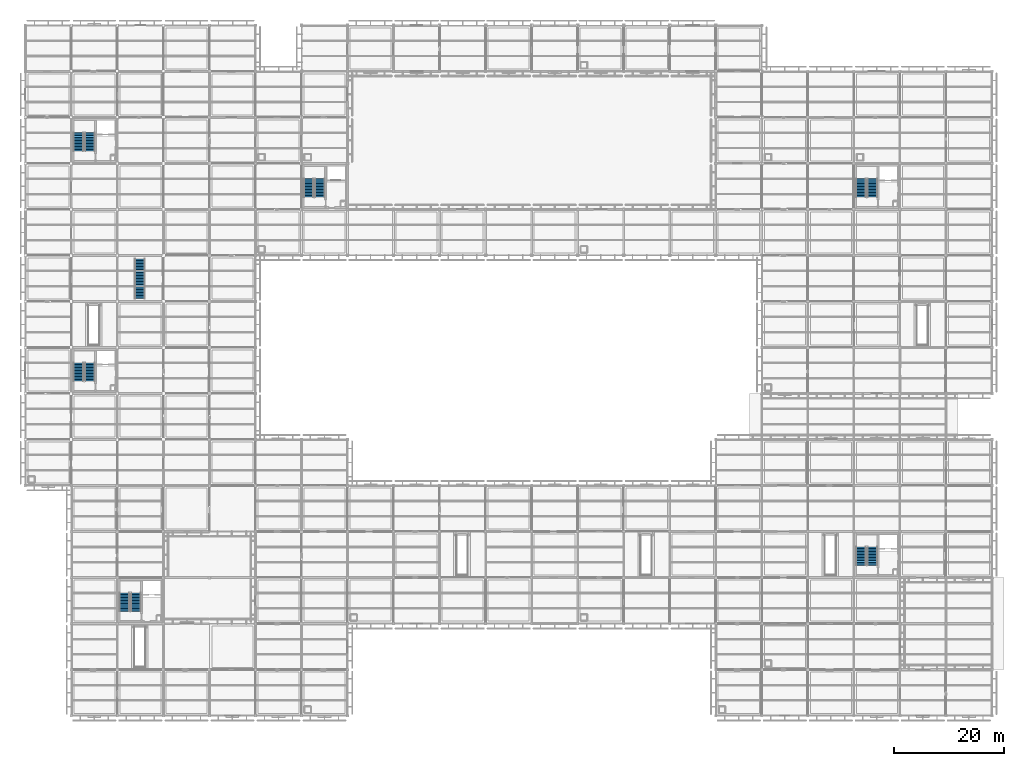
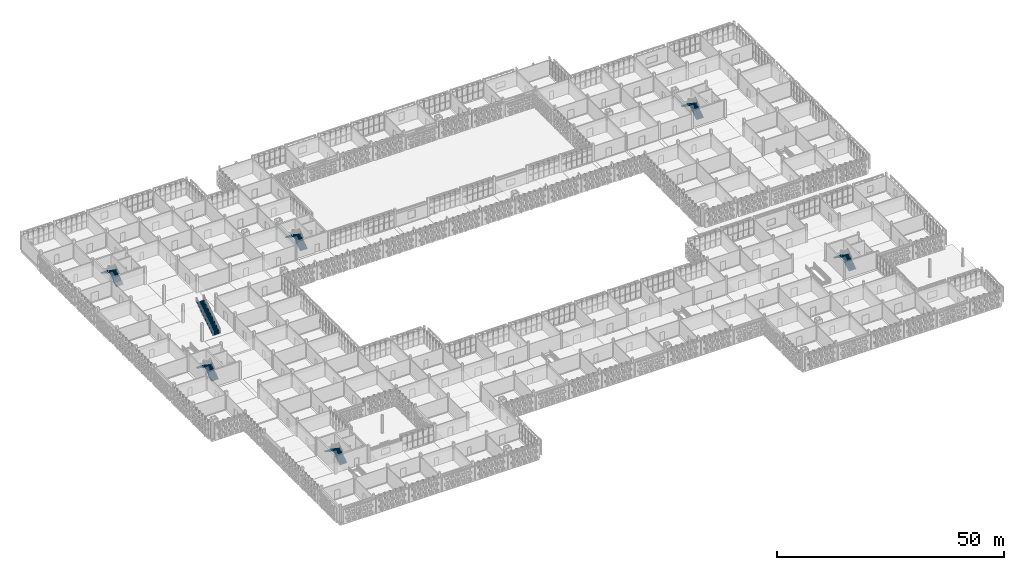
# One storey, part 129 of 203: 13 stair flights, 7 elements without a shape of their own.
"""IFC4 building model written with IfcOpenShell, lengths in metres."""

from ifc_helpers import new_model, si_unit, direction, frame, origin, place, context, subcontext, project, spatial, polyline, outline, extrude, material, type_object, element, aggregate, save


model = new_model("IFC4")

# Units and contexts
model_context = context("Model", 3, precision=1e-05, world=origin(), true_north=direction((0.0, 1.0)))
body_context = subcontext(model_context, "Body", "Model", "MODEL_VIEW")
ifc_project = project(units=[si_unit("LENGTHUNIT", "METRE"), si_unit("AREAUNIT", "SQUARE_METRE"), si_unit("VOLUMEUNIT", "CUBIC_METRE"), si_unit("PLANEANGLEUNIT", "RADIAN"), si_unit("MASSUNIT", "GRAM", prefix="KILO")], contexts=[model_context])

# Site, building, storey
site_placement = place(None, origin())
site = spatial("IfcSite", under=ifc_project, at=site_placement, CompositionType="ELEMENT")
building_placement = place(site_placement, origin())
building = spatial("IfcBuilding", under=site, at=building_placement, Name="Varnapada Polytechnic", CompositionType="ELEMENT")
storey_placement = place(building_placement, frame((0.0, 0.0, 4.800048828125)))
storey = spatial("IfcBuildingStorey", under=building, at=storey_placement, Name="L01", CompositionType="ELEMENT", Elevation=4.800048828125)

# Stair, stair flight
ifc_material = material(Name="Concrete C40/50", Category="concrete")
stair_type_1 = type_object("IfcStairType", Name="Commons Feature Stair ST-F", PredefinedType="STRAIGHT_RUN_STAIR", material=ifc_material)
stair_1_placement = place(storey_placement, origin())
stair_1 = element("IfcStair", 1, at=stair_1_placement, inside=storey, type_object=stair_type_1, Name="L01 studio exit stair ST-F7", PredefinedType="STRAIGHT_RUN_STAIR")
stair_flight_type_1 = type_object("IfcStairFlightType", Name="Commons Stair Flight SFL-03", PredefinedType="STRAIGHT", material=ifc_material)
stair_flight_1_placement = place(storey_placement, frame((20.89990234375, 76.14990234375, 0.0), z_axis=(0.0, 0.0, 1.0), x_axis=(0.0, 1.0, 0.0)))
stair_flight_1 = element("IfcStairFlight", 2, at=stair_flight_1_placement, type_object=stair_flight_type_1, Name="ST-F7 flight 1", NumberOfRisers=27, NumberOfTreads=26, PredefinedType="STRAIGHT", RiserHeight=0.177777778, TreadLength=0.278846154, context=body_context, shape_type="SweptSolid", body=[
    extrude(outline(polyline([(0.0, 0.0), (0.0, 0.177734375), (0.27880859375, 0.177734375), (0.27880859375, 0.35546875), (0.5576171875, 0.35546875), (0.5576171875, 0.533447265625), (0.83642578125, 0.533447265625), (0.83642578125, 0.711181640625), (1.115478515625, 0.711181640625), (1.115478515625, 0.888916015625), (1.394287109375, 0.888916015625), (1.394287109375, 1.066650390625), (1.673095703125, 1.066650390625), (1.673095703125, 1.244384765625), (1.951904296875, 1.244384765625), (1.951904296875, 1.422119140625), (2.230712890625, 1.422119140625), (2.230712890625, 1.60009765625), (2.509521484375, 1.60009765625), (2.509521484375, 1.77783203125), (2.78857421875, 1.77783203125), (2.78857421875, 1.95556640625), (3.0673828125, 1.95556640625), (3.0673828125, 2.13330078125), (3.34619140625, 2.13330078125), (3.34619140625, 2.31103515625), (3.625, 2.31103515625), (3.625, 2.48876953125), (3.90380859375, 2.48876953125), (3.90380859375, 2.666748046875), (4.1826171875, 2.666748046875), (4.1826171875, 2.844482421875), (4.46142578125, 2.844482421875), (4.46142578125, 3.022216796875), (4.740478515625, 3.022216796875), (4.740478515625, 3.199951171875), (5.019287109375, 3.199951171875), (5.019287109375, 3.377685546875), (5.298095703125, 3.377685546875), (5.298095703125, 3.5556640625), (5.576904296875, 3.5556640625), (5.576904296875, 3.7333984375), (5.855712890625, 3.7333984375), (5.855712890625, 3.9111328125), (6.134521484375, 3.9111328125), (6.134521484375, 4.0888671875), (6.41357421875, 4.0888671875), (6.41357421875, 4.2666015625), (6.6923828125, 4.2666015625), (6.6923828125, 4.4443359375), (6.97119140625, 4.4443359375), (6.97119140625, 4.622314453125), (7.25, 4.622314453125), (7.25, 4.800048828125), (7.25, 4.408935546875), (0.334716796875, 0.0), (0.0, 0.0)])), frame((0.0, 0.949951171875, 0.0), z_axis=(0.0, -1.0, 0.0), x_axis=(1.0, 0.0, 0.0)), (0.0, 0.0, 1.0), 1.89990234375),
])
aggregate(stair_1, [stair_flight_1])

# Stair, stair flights
stair_type_2 = type_object("IfcStairType", Name="Core Exit Stair ST-A", PredefinedType="HALF_TURN_STAIR", material=ifc_material)
stair_2_placement = place(storey_placement, origin())
stair_2 = element("IfcStair", 3, at=stair_2_placement, inside=storey, type_object=stair_type_2, Name="L01 Core C1 Exit Stair", PredefinedType="HALF_TURN_STAIR")
stair_flight_type_2 = type_object("IfcStairFlightType", Name="Stair Flight SFL-01", PredefinedType="STRAIGHT", material=ifc_material)
stair_flight_2_placement = place(storey_placement, frame((11.77490234375, 103.050048828125, 0.0), z_axis=(0.0, 0.0, 1.0), x_axis=(0.0, 1.0, 0.0)))
stair_flight_2 = element("IfcStairFlight", 4, at=stair_flight_2_placement, type_object=stair_flight_type_2, Name="ST-1 flight 1", NumberOfRisers=13, NumberOfTreads=12, PredefinedType="STRAIGHT", RiserHeight=0.184615385, TreadLength=0.28, context=body_context, shape_type="SweptSolid", body=[
    extrude(outline(polyline([(0.0, 0.0), (0.0, 0.1845703125), (0.280029296875, 0.1845703125), (0.280029296875, 0.369140625), (0.56005859375, 0.369140625), (0.56005859375, 0.553955078125), (0.840087890625, 0.553955078125), (0.840087890625, 0.738525390625), (1.1201171875, 0.738525390625), (1.1201171875, 0.923095703125), (1.39990234375, 0.923095703125), (1.39990234375, 1.107666015625), (1.679931640625, 1.107666015625), (1.679931640625, 1.292236328125), (1.9599609375, 1.292236328125), (1.9599609375, 1.476806640625), (2.239990234375, 1.476806640625), (2.239990234375, 1.66162109375), (2.52001953125, 1.66162109375), (2.52001953125, 1.84619140625), (2.800048828125, 1.84619140625), (2.800048828125, 2.03076171875), (3.080078125, 2.03076171875), (3.080078125, 2.21533203125), (3.360107421875, 2.21533203125), (3.360107421875, 2.39990234375), (3.360107421875, 1.999755859375), (0.326904296875, 0.0), (0.0, 0.0)])), frame((0.0, 0.925048828125, 0.0), z_axis=(0.0, -1.0, 0.0), x_axis=(1.0, 0.0, 0.0)), (0.0, 0.0, 1.0), 1.85009765625),
])
stair_flight_3_placement = place(storey_placement, frame((9.72509765625, 106.409912109375, 2.39990234375), z_axis=(0.0, 0.0, 1.0), x_axis=(0.0, -1.0, 0.0)))
stair_flight_3 = element("IfcStairFlight", 5, at=stair_flight_3_placement, type_object=stair_flight_type_2, Name="ST-1 flight 2", NumberOfRisers=13, NumberOfTreads=12, PredefinedType="STRAIGHT", RiserHeight=0.184615385, TreadLength=0.28, context=body_context, shape_type="SweptSolid", body=[
    extrude(outline(polyline([(0.0, 0.0), (0.0, 0.1845703125), (0.280029296875, 0.1845703125), (0.280029296875, 0.369140625), (0.56005859375, 0.369140625), (0.56005859375, 0.553955078125), (0.840087890625, 0.553955078125), (0.840087890625, 0.738525390625), (1.1201171875, 0.738525390625), (1.1201171875, 0.923095703125), (1.39990234375, 0.923095703125), (1.39990234375, 1.107666015625), (1.679931640625, 1.107666015625), (1.679931640625, 1.292236328125), (1.9599609375, 1.292236328125), (1.9599609375, 1.476806640625), (2.239990234375, 1.476806640625), (2.239990234375, 1.66162109375), (2.52001953125, 1.66162109375), (2.52001953125, 1.84619140625), (2.800048828125, 1.84619140625), (2.800048828125, 2.03076171875), (3.080078125, 2.03076171875), (3.080078125, 2.21533203125), (3.360107421875, 2.21533203125), (3.360107421875, 2.39990234375), (3.360107421875, 1.999755859375), (0.326904296875, 0.0), (0.0, 0.0)])), frame((0.0, 0.925048828125, 0.0), z_axis=(0.0, -1.0, 0.0), x_axis=(1.0, 0.0, 0.0)), (0.0, 0.0, 1.0), 1.85009765625),
])
aggregate(stair_2, [stair_flight_2, stair_flight_3])

stair_3_placement = place(storey_placement, origin())
stair_3 = element("IfcStair", 6, at=stair_3_placement, inside=storey, type_object=stair_type_2, Name="L01 Core C2 Exit Stair", PredefinedType="HALF_TURN_STAIR")
stair_flight_4_placement = place(storey_placement, frame((11.77490234375, 61.050048828125, 0.0), z_axis=(0.0, 0.0, 1.0), x_axis=(0.0, 1.0, 0.0)))
stair_flight_4 = element("IfcStairFlight", 7, at=stair_flight_4_placement, type_object=stair_flight_type_2, Name="ST-2 flight 1", NumberOfRisers=13, NumberOfTreads=12, PredefinedType="STRAIGHT", RiserHeight=0.184615385, TreadLength=0.28, context=body_context, shape_type="SweptSolid", body=[
    extrude(outline(polyline([(0.0, 0.0), (0.0, 0.1845703125), (0.280029296875, 0.1845703125), (0.280029296875, 0.369140625), (0.56005859375, 0.369140625), (0.56005859375, 0.553955078125), (0.840087890625, 0.553955078125), (0.840087890625, 0.738525390625), (1.1201171875, 0.738525390625), (1.1201171875, 0.923095703125), (1.39990234375, 0.923095703125), (1.39990234375, 1.107666015625), (1.679931640625, 1.107666015625), (1.679931640625, 1.292236328125), (1.9599609375, 1.292236328125), (1.9599609375, 1.476806640625), (2.239990234375, 1.476806640625), (2.239990234375, 1.66162109375), (2.52001953125, 1.66162109375), (2.52001953125, 1.84619140625), (2.800048828125, 1.84619140625), (2.800048828125, 2.03076171875), (3.080078125, 2.03076171875), (3.080078125, 2.21533203125), (3.360107421875, 2.21533203125), (3.360107421875, 2.39990234375), (3.360107421875, 1.999755859375), (0.326904296875, 0.0), (0.0, 0.0)])), frame((0.0, 0.925048828125, 0.0), z_axis=(0.0, -1.0, 0.0), x_axis=(1.0, 0.0, 0.0)), (0.0, 0.0, 1.0), 1.85009765625),
])
stair_flight_5_placement = place(storey_placement, frame((9.72509765625, 64.409912109375, 2.39990234375), z_axis=(0.0, 0.0, 1.0), x_axis=(0.0, -1.0, 0.0)))
stair_flight_5 = element("IfcStairFlight", 8, at=stair_flight_5_placement, type_object=stair_flight_type_2, Name="ST-2 flight 2", NumberOfRisers=13, NumberOfTreads=12, PredefinedType="STRAIGHT", RiserHeight=0.184615385, TreadLength=0.28, context=body_context, shape_type="SweptSolid", body=[
    extrude(outline(polyline([(0.0, 0.0), (0.0, 0.1845703125), (0.280029296875, 0.1845703125), (0.280029296875, 0.369140625), (0.56005859375, 0.369140625), (0.56005859375, 0.553955078125), (0.840087890625, 0.553955078125), (0.840087890625, 0.738525390625), (1.1201171875, 0.738525390625), (1.1201171875, 0.923095703125), (1.39990234375, 0.923095703125), (1.39990234375, 1.107666015625), (1.679931640625, 1.107666015625), (1.679931640625, 1.292236328125), (1.9599609375, 1.292236328125), (1.9599609375, 1.476806640625), (2.239990234375, 1.476806640625), (2.239990234375, 1.66162109375), (2.52001953125, 1.66162109375), (2.52001953125, 1.84619140625), (2.800048828125, 1.84619140625), (2.800048828125, 2.03076171875), (3.080078125, 2.03076171875), (3.080078125, 2.21533203125), (3.360107421875, 2.21533203125), (3.360107421875, 2.39990234375), (3.360107421875, 1.999755859375), (0.326904296875, 0.0), (0.0, 0.0)])), frame((0.0, 0.925048828125, 0.0), z_axis=(0.0, -1.0, 0.0), x_axis=(1.0, 0.0, 0.0)), (0.0, 0.0, 1.0), 1.85009765625),
])
aggregate(stair_3, [stair_flight_4, stair_flight_5])

stair_4_placement = place(storey_placement, origin())
stair_4 = element("IfcStair", 9, at=stair_4_placement, inside=storey, type_object=stair_type_2, Name="L01 Core C3 Exit Stair", PredefinedType="HALF_TURN_STAIR")
stair_flight_6_placement = place(storey_placement, frame((20.175048828125, 19.050048828125, 0.0), z_axis=(0.0, 0.0, 1.0), x_axis=(0.0, 1.0, 0.0)))
stair_flight_6 = element("IfcStairFlight", 10, at=stair_flight_6_placement, type_object=stair_flight_type_2, Name="ST-3 flight 1", NumberOfRisers=13, NumberOfTreads=12, PredefinedType="STRAIGHT", RiserHeight=0.184615385, TreadLength=0.28, context=body_context, shape_type="SweptSolid", body=[
    extrude(outline(polyline([(0.0, 0.0), (0.0, 0.1845703125), (0.280029296875, 0.1845703125), (0.280029296875, 0.369140625), (0.56005859375, 0.369140625), (0.56005859375, 0.553955078125), (0.840087890625, 0.553955078125), (0.840087890625, 0.738525390625), (1.1201171875, 0.738525390625), (1.1201171875, 0.923095703125), (1.39990234375, 0.923095703125), (1.39990234375, 1.107666015625), (1.679931640625, 1.107666015625), (1.679931640625, 1.292236328125), (1.9599609375, 1.292236328125), (1.9599609375, 1.476806640625), (2.239990234375, 1.476806640625), (2.239990234375, 1.66162109375), (2.52001953125, 1.66162109375), (2.52001953125, 1.84619140625), (2.800048828125, 1.84619140625), (2.800048828125, 2.03076171875), (3.080078125, 2.03076171875), (3.080078125, 2.21533203125), (3.360107421875, 2.21533203125), (3.360107421875, 2.39990234375), (3.360107421875, 1.999755859375), (0.326904296875, 0.0), (0.0, 0.0)])), frame((0.0, 0.925048828125, 0.0), z_axis=(0.0, -1.0, 0.0), x_axis=(1.0, 0.0, 0.0)), (0.0, 0.0, 1.0), 1.85009765625),
])
stair_flight_7_placement = place(storey_placement, frame((18.125, 22.409912109375, 2.39990234375), z_axis=(0.0, 0.0, 1.0), x_axis=(0.0, -1.0, 0.0)))
stair_flight_7 = element("IfcStairFlight", 11, at=stair_flight_7_placement, type_object=stair_flight_type_2, Name="ST-3 flight 2", NumberOfRisers=13, NumberOfTreads=12, PredefinedType="STRAIGHT", RiserHeight=0.184615385, TreadLength=0.28, context=body_context, shape_type="SweptSolid", body=[
    extrude(outline(polyline([(0.0, 0.0), (0.0, 0.1845703125), (0.280029296875, 0.1845703125), (0.280029296875, 0.369140625), (0.56005859375, 0.369140625), (0.56005859375, 0.553955078125), (0.840087890625, 0.553955078125), (0.840087890625, 0.738525390625), (1.1201171875, 0.738525390625), (1.1201171875, 0.923095703125), (1.39990234375, 0.923095703125), (1.39990234375, 1.107666015625), (1.679931640625, 1.107666015625), (1.679931640625, 1.292236328125), (1.9599609375, 1.292236328125), (1.9599609375, 1.476806640625), (2.239990234375, 1.476806640625), (2.239990234375, 1.66162109375), (2.52001953125, 1.66162109375), (2.52001953125, 1.84619140625), (2.800048828125, 1.84619140625), (2.800048828125, 2.03076171875), (3.080078125, 2.03076171875), (3.080078125, 2.21533203125), (3.360107421875, 2.21533203125), (3.360107421875, 2.39990234375), (3.360107421875, 1.999755859375), (0.326904296875, 0.0), (0.0, 0.0)])), frame((0.0, 0.925048828125, 0.0), z_axis=(0.0, -1.0, 0.0), x_axis=(1.0, 0.0, 0.0)), (0.0, 0.0, 1.0), 1.85009765625),
])
aggregate(stair_4, [stair_flight_6, stair_flight_7])

stair_type_3 = type_object("IfcStairType", Name="Core Exit Stair ST-B", PredefinedType="HALF_TURN_STAIR", material=ifc_material)
stair_5_placement = place(storey_placement, origin())
stair_5 = element("IfcStair", 12, at=stair_5_placement, inside=storey, type_object=stair_type_3, Name="L01 Core C4 Exit Stair", PredefinedType="HALF_TURN_STAIR")
stair_flight_8_placement = place(storey_placement, frame((53.77490234375, 94.64990234375, 0.0), z_axis=(0.0, 0.0, 1.0), x_axis=(0.0, 1.0, 0.0)))
stair_flight_8 = element("IfcStairFlight", 13, at=stair_flight_8_placement, type_object=stair_flight_type_2, Name="ST-4 flight 1", NumberOfRisers=13, NumberOfTreads=12, PredefinedType="STRAIGHT", RiserHeight=0.184615385, TreadLength=0.28, context=body_context, shape_type="SweptSolid", body=[
    extrude(outline(polyline([(0.0, 0.0), (0.0, 0.1845703125), (0.280029296875, 0.1845703125), (0.280029296875, 0.369140625), (0.56005859375, 0.369140625), (0.56005859375, 0.553955078125), (0.840087890625, 0.553955078125), (0.840087890625, 0.738525390625), (1.1201171875, 0.738525390625), (1.1201171875, 0.923095703125), (1.39990234375, 0.923095703125), (1.39990234375, 1.107666015625), (1.679931640625, 1.107666015625), (1.679931640625, 1.292236328125), (1.9599609375, 1.292236328125), (1.9599609375, 1.476806640625), (2.239990234375, 1.476806640625), (2.239990234375, 1.66162109375), (2.52001953125, 1.66162109375), (2.52001953125, 1.84619140625), (2.800048828125, 1.84619140625), (2.800048828125, 2.03076171875), (3.080078125, 2.03076171875), (3.080078125, 2.21533203125), (3.360107421875, 2.21533203125), (3.360107421875, 2.39990234375), (3.360107421875, 1.999755859375), (0.326904296875, 0.0), (0.0, 0.0)])), frame((0.0, 0.925048828125, 0.0), z_axis=(0.0, -1.0, 0.0), x_axis=(1.0, 0.0, 0.0)), (0.0, 0.0, 1.0), 1.85009765625),
])
stair_flight_9_placement = place(storey_placement, frame((51.72509765625, 98.010009765625, 2.39990234375), z_axis=(0.0, 0.0, 1.0), x_axis=(0.0, -1.0, 0.0)))
stair_flight_9 = element("IfcStairFlight", 14, at=stair_flight_9_placement, type_object=stair_flight_type_2, Name="ST-4 flight 2", NumberOfRisers=13, NumberOfTreads=12, PredefinedType="STRAIGHT", RiserHeight=0.184615385, TreadLength=0.28, context=body_context, shape_type="SweptSolid", body=[
    extrude(outline(polyline([(0.0, 0.0), (0.0, 0.1845703125), (0.280029296875, 0.1845703125), (0.280029296875, 0.369140625), (0.56005859375, 0.369140625), (0.56005859375, 0.553955078125), (0.840087890625, 0.553955078125), (0.840087890625, 0.738525390625), (1.1201171875, 0.738525390625), (1.1201171875, 0.923095703125), (1.39990234375, 0.923095703125), (1.39990234375, 1.107666015625), (1.679931640625, 1.107666015625), (1.679931640625, 1.292236328125), (1.9599609375, 1.292236328125), (1.9599609375, 1.476806640625), (2.239990234375, 1.476806640625), (2.239990234375, 1.66162109375), (2.52001953125, 1.66162109375), (2.52001953125, 1.84619140625), (2.800048828125, 1.84619140625), (2.800048828125, 2.03076171875), (3.080078125, 2.03076171875), (3.080078125, 2.21533203125), (3.360107421875, 2.21533203125), (3.360107421875, 2.39990234375), (3.360107421875, 1.999755859375), (0.326904296875, 0.0), (0.0, 0.0)])), frame((0.0, 0.925048828125, 0.0), z_axis=(0.0, -1.0, 0.0), x_axis=(1.0, 0.0, 0.0)), (0.0, 0.0, 1.0), 1.85009765625),
])
aggregate(stair_5, [stair_flight_8, stair_flight_9])

stair_6_placement = place(storey_placement, origin())
stair_6 = element("IfcStair", 15, at=stair_6_placement, inside=storey, type_object=stair_type_3, Name="L01 Core C5 Exit Stair", PredefinedType="HALF_TURN_STAIR")
stair_flight_10_placement = place(storey_placement, frame((154.574951171875, 94.64990234375, 0.0), z_axis=(0.0, 0.0, 1.0), x_axis=(0.0, 1.0, 0.0)))
stair_flight_10 = element("IfcStairFlight", 16, at=stair_flight_10_placement, type_object=stair_flight_type_2, Name="ST-5 flight 1", NumberOfRisers=13, NumberOfTreads=12, PredefinedType="STRAIGHT", RiserHeight=0.184615385, TreadLength=0.28, context=body_context, shape_type="SweptSolid", body=[
    extrude(outline(polyline([(0.0, 0.0), (0.0, 0.1845703125), (0.280029296875, 0.1845703125), (0.280029296875, 0.369140625), (0.56005859375, 0.369140625), (0.56005859375, 0.553955078125), (0.840087890625, 0.553955078125), (0.840087890625, 0.738525390625), (1.1201171875, 0.738525390625), (1.1201171875, 0.923095703125), (1.39990234375, 0.923095703125), (1.39990234375, 1.107666015625), (1.679931640625, 1.107666015625), (1.679931640625, 1.292236328125), (1.9599609375, 1.292236328125), (1.9599609375, 1.476806640625), (2.239990234375, 1.476806640625), (2.239990234375, 1.66162109375), (2.52001953125, 1.66162109375), (2.52001953125, 1.84619140625), (2.800048828125, 1.84619140625), (2.800048828125, 2.03076171875), (3.080078125, 2.03076171875), (3.080078125, 2.21533203125), (3.360107421875, 2.21533203125), (3.360107421875, 2.39990234375), (3.360107421875, 1.999755859375), (0.326904296875, 0.0), (0.0, 0.0)])), frame((0.0, 0.925048828125, 0.0), z_axis=(0.0, -1.0, 0.0), x_axis=(1.0, 0.0, 0.0)), (0.0, 0.0, 1.0), 1.85009765625),
])
stair_flight_11_placement = place(storey_placement, frame((152.52490234375, 98.010009765625, 2.39990234375), z_axis=(0.0, 0.0, 1.0), x_axis=(0.0, -1.0, 0.0)))
stair_flight_11 = element("IfcStairFlight", 17, at=stair_flight_11_placement, type_object=stair_flight_type_2, Name="ST-5 flight 2", NumberOfRisers=13, NumberOfTreads=12, PredefinedType="STRAIGHT", RiserHeight=0.184615385, TreadLength=0.28, context=body_context, shape_type="SweptSolid", body=[
    extrude(outline(polyline([(0.0, 0.0), (0.0, 0.1845703125), (0.280029296875, 0.1845703125), (0.280029296875, 0.369140625), (0.56005859375, 0.369140625), (0.56005859375, 0.553955078125), (0.840087890625, 0.553955078125), (0.840087890625, 0.738525390625), (1.1201171875, 0.738525390625), (1.1201171875, 0.923095703125), (1.39990234375, 0.923095703125), (1.39990234375, 1.107666015625), (1.679931640625, 1.107666015625), (1.679931640625, 1.292236328125), (1.9599609375, 1.292236328125), (1.9599609375, 1.476806640625), (2.239990234375, 1.476806640625), (2.239990234375, 1.66162109375), (2.52001953125, 1.66162109375), (2.52001953125, 1.84619140625), (2.800048828125, 1.84619140625), (2.800048828125, 2.03076171875), (3.080078125, 2.03076171875), (3.080078125, 2.21533203125), (3.360107421875, 2.21533203125), (3.360107421875, 2.39990234375), (3.360107421875, 1.999755859375), (0.326904296875, 0.0), (0.0, 0.0)])), frame((0.0, 0.925048828125, 0.0), z_axis=(0.0, -1.0, 0.0), x_axis=(1.0, 0.0, 0.0)), (0.0, 0.0, 1.0), 1.85009765625),
])
aggregate(stair_6, [stair_flight_10, stair_flight_11])

stair_7_placement = place(storey_placement, origin())
stair_7 = element("IfcStair", 18, at=stair_7_placement, inside=storey, type_object=stair_type_3, Name="L01 Core C6 Exit Stair", PredefinedType="HALF_TURN_STAIR")
stair_flight_12_placement = place(storey_placement, frame((154.574951171875, 27.449951171875, 0.0), z_axis=(0.0, 0.0, 1.0), x_axis=(0.0, 1.0, 0.0)))
stair_flight_12 = element("IfcStairFlight", 19, at=stair_flight_12_placement, type_object=stair_flight_type_2, Name="ST-6 flight 1", NumberOfRisers=13, NumberOfTreads=12, PredefinedType="STRAIGHT", RiserHeight=0.184615385, TreadLength=0.28, context=body_context, shape_type="SweptSolid", body=[
    extrude(outline(polyline([(0.0, 0.0), (0.0, 0.1845703125), (0.280029296875, 0.1845703125), (0.280029296875, 0.369140625), (0.56005859375, 0.369140625), (0.56005859375, 0.553955078125), (0.840087890625, 0.553955078125), (0.840087890625, 0.738525390625), (1.1201171875, 0.738525390625), (1.1201171875, 0.923095703125), (1.39990234375, 0.923095703125), (1.39990234375, 1.107666015625), (1.679931640625, 1.107666015625), (1.679931640625, 1.292236328125), (1.9599609375, 1.292236328125), (1.9599609375, 1.476806640625), (2.239990234375, 1.476806640625), (2.239990234375, 1.66162109375), (2.52001953125, 1.66162109375), (2.52001953125, 1.84619140625), (2.800048828125, 1.84619140625), (2.800048828125, 2.03076171875), (3.080078125, 2.03076171875), (3.080078125, 2.21533203125), (3.360107421875, 2.21533203125), (3.360107421875, 2.39990234375), (3.360107421875, 1.999755859375), (0.326904296875, 0.0), (0.0, 0.0)])), frame((0.0, 0.925048828125, 0.0), z_axis=(0.0, -1.0, 0.0), x_axis=(1.0, 0.0, 0.0)), (0.0, 0.0, 1.0), 1.85009765625),
])
stair_flight_13_placement = place(storey_placement, frame((152.52490234375, 30.81005859375, 2.39990234375), z_axis=(0.0, 0.0, 1.0), x_axis=(0.0, -1.0, 0.0)))
stair_flight_13 = element("IfcStairFlight", 20, at=stair_flight_13_placement, type_object=stair_flight_type_2, Name="ST-6 flight 2", NumberOfRisers=13, NumberOfTreads=12, PredefinedType="STRAIGHT", RiserHeight=0.184615385, TreadLength=0.28, context=body_context, shape_type="SweptSolid", body=[
    extrude(outline(polyline([(0.0, 0.0), (0.0, 0.1845703125), (0.280029296875, 0.1845703125), (0.280029296875, 0.369140625), (0.56005859375, 0.369140625), (0.56005859375, 0.553955078125), (0.840087890625, 0.553955078125), (0.840087890625, 0.738525390625), (1.1201171875, 0.738525390625), (1.1201171875, 0.923095703125), (1.39990234375, 0.923095703125), (1.39990234375, 1.107666015625), (1.679931640625, 1.107666015625), (1.679931640625, 1.292236328125), (1.9599609375, 1.292236328125), (1.9599609375, 1.476806640625), (2.239990234375, 1.476806640625), (2.239990234375, 1.66162109375), (2.52001953125, 1.66162109375), (2.52001953125, 1.84619140625), (2.800048828125, 1.84619140625), (2.800048828125, 2.03076171875), (3.080078125, 2.03076171875), (3.080078125, 2.21533203125), (3.360107421875, 2.21533203125), (3.360107421875, 2.39990234375), (3.360107421875, 1.999755859375), (0.326904296875, 0.0), (0.0, 0.0)])), frame((0.0, 0.925048828125, 0.0), z_axis=(0.0, -1.0, 0.0), x_axis=(1.0, 0.0, 0.0)), (0.0, 0.0, 1.0), 1.85009765625),
])
aggregate(stair_7, [stair_flight_12, stair_flight_13])

save(model, "model.ifc")
